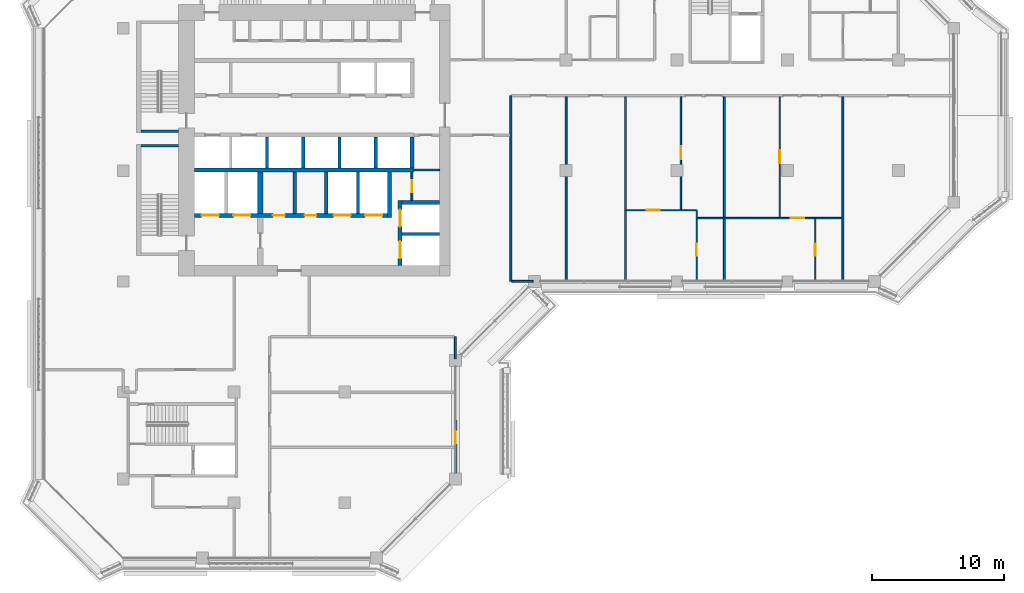
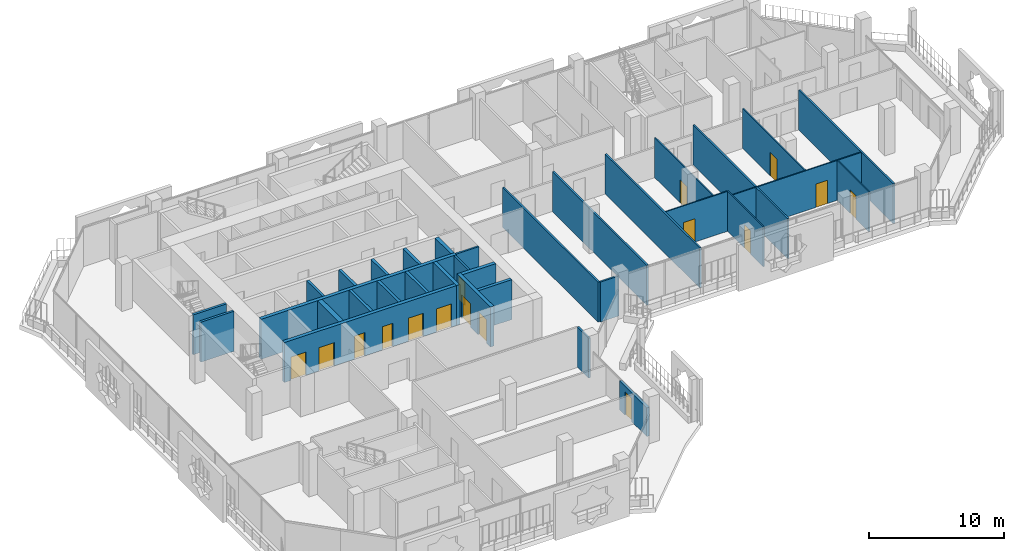
# One storey, part 10 of 21: 33 walls, 16 doors, 16 openings.
"""IFC4 building model written with IfcOpenShell, lengths in metres."""

from ifc_helpers import new_model, si_unit, direction, frame, frame_2d, origin, place, context, subcontext, project, spatial, rectangle, extrude, material, layer, layer_set, type_object, element, fill, save


model = new_model("IFC4")

# Units and contexts
model_context = context("Model", 3, precision=1e-05, world=origin(), true_north=direction((0.0, 1.0)))
body_context = subcontext(model_context, "Body", "Model", "MODEL_VIEW")
ifc_project = project(units=[si_unit("LENGTHUNIT", "METRE"), si_unit("AREAUNIT", "SQUARE_METRE"), si_unit("VOLUMEUNIT", "CUBIC_METRE"), si_unit("PLANEANGLEUNIT", "RADIAN"), si_unit("MASSUNIT", "GRAM", prefix="KILO")], contexts=[model_context])

# Site, building, storey
site_placement = place(None, origin())
site = spatial("IfcSite", under=ifc_project, at=site_placement, CompositionType="ELEMENT")
building_placement = place(site_placement, origin())
building = spatial("IfcBuilding", under=site, at=building_placement, Name="Kawkab Arch Medical Tower", CompositionType="ELEMENT")
storey_placement = place(building_placement, frame((0.0, 0.0, 260.0)))
storey = spatial("IfcBuildingStorey", under=building, at=storey_placement, Name="L60", CompositionType="ELEMENT", Elevation=260.0)

# Wall, opening, door
ifc_material_1 = material(Name="Gypsum board on steel studs", Category="steel")
ifc_layer_1 = layer(ifc_material_1, 0.14990234375)
ifc_layer_set_1 = layer_set([ifc_layer_1], Name="Gypsum board on steel studs")
wall_type_1 = type_object("IfcWallType", Name="Core room partition 150", PredefinedType="PARTITIONING", material=ifc_layer_set_1)
wall_1_placement = place(storey_placement, frame((21.89990234375, -19.050048828125, 0.0), z_axis=(0.0, 0.0, 1.0), x_axis=(0.0, 1.0, 0.0)))
wall_1 = element("IfcWall", 1, at=wall_1_placement, inside=storey, type_object=wall_type_1, Name="L60 core room partition", PredefinedType="PARTITIONING", context=body_context, shape_type="SweptSolid", body=[
    extrude(rectangle(XDim=2.150146484375, YDim=0.14990234375, at=frame_2d((1.0751953125, 0.0))), origin(), (0.0, 0.0, 1.0), 3.60009765625),
])
opening_1_placement = place(wall_1_placement, frame((0.625, 0.0, 0.0)))
opening_1 = element("IfcOpeningElement", 2, at=opening_1_placement, cuts=wall_1, Name="Opening RD", PredefinedType="OPENING", context=body_context, shape_type="SweptSolid", body=[
    extrude(rectangle(XDim=0.89990234375, YDim=2.10009765625, at=frame_2d((0.449951171875, 1.050048828125))), frame((0.0, 0.0849609375, 0.0), z_axis=(0.0, -1.0, 0.0), x_axis=(1.0, 0.0, 0.0)), (0.0, 0.0, 1.0), 0.169921875),
])
ifc_material_2 = material(Name="Hollow metal fire door leaf")
door_type_1 = type_object("IfcDoorType", Name="Core room door 900", OperationType="SINGLE_SWING_LEFT", PredefinedType="DOOR", material=ifc_material_2)
door_1_placement = place(opening_1_placement, origin())
door_1 = element("IfcDoor", 3, at=door_1_placement, inside=storey, type_object=door_type_1, Name="L60 Staff WC door", OperationType="SINGLE_SWING_LEFT", OverallHeight=2.10009765625, OverallWidth=0.89990234375, PredefinedType="DOOR", context=body_context, shape_type="SweptSolid", body=[
    extrude(rectangle(XDim=0.89990234375, YDim=2.10009765625, at=frame_2d((0.449951171875, 1.050048828125))), frame((0.0, 0.02490234375, 0.0), z_axis=(0.0, -1.0, 0.0), x_axis=(1.0, 0.0, 0.0)), (0.0, 0.0, 1.0), 0.050048828125),
])
fill(opening_1, door_1)

# Walls
wall_2_placement = place(storey_placement, frame((22.050048828125, -16.75, 0.0), z_axis=(0.0, 0.0, 1.0), x_axis=(1.0, 0.0, 0.0)))
element("IfcWall", 4, at=wall_2_placement, inside=storey, type_object=wall_type_1, Name="L60 core room partition", PredefinedType="PARTITIONING", context=body_context, shape_type="SweptSolid", body=[
    extrude(rectangle(XDim=1.949951171875, YDim=0.14990234375, at=frame_2d((0.97509765625, 0.0))), origin(), (0.0, 0.0, 1.0), 3.60009765625),
])
ifc_material_3 = material(Name="Concrete C60/75", Category="concrete")
ifc_layer_2 = layer(ifc_material_3, 0.25)
ifc_layer_set_2 = layer_set([ifc_layer_2], Name="Concrete C60/75")
wall_type_2 = type_object("IfcWallType", Name="Core shear wall 250 C60/75", PredefinedType="SHEAR", material=ifc_layer_set_2)
wall_3_placement = place(storey_placement, frame((21.14990234375, -21.60009765625, 0.0), z_axis=(0.0, 0.0, 1.0), x_axis=(1.0, 0.0, 0.0)))
element("IfcWall", 5, at=wall_3_placement, inside=storey, type_object=wall_type_2, Name="L60 core shear wall", PredefinedType="SHEAR", context=body_context, shape_type="SweptSolid", body=[
    extrude(rectangle(XDim=2.85009765625, YDim=0.25, at=frame_2d((1.425048828125, 0.0))), origin(), (0.0, 0.0, 1.0), 3.60009765625),
])
for number, where, z_axis, x_axis, name in (
    (6, (13.0, -20.050048828125, 0.0), (0.0, 0.0, 1.0), (0.0, 1.0, 0.0), "L60 core shear wall"),
    (7, (15.39990234375, -20.050048828125, 0.0), (0.0, 0.0, 1.0), (0.0, 1.0, 0.0), "L60 core shear wall"),
    (8, (17.800048828125, -20.050048828125, 0.0), (0.0, 0.0, 1.0), (0.0, 1.0, 0.0), "L60 core shear wall"),
):
    element("IfcWall", number, at=place(storey_placement, frame(where, z_axis=z_axis, x_axis=x_axis)), inside=storey, type_object=wall_type_2, Name=name, PredefinedType="SHEAR", context=body_context, shape_type="SweptSolid", body=[
        extrude(rectangle(XDim=3.150146484375, YDim=0.25, at=frame_2d((1.5751953125, 0.0))), origin(), (0.0, 0.0, 1.0), 3.60009765625),
    ])
for number, where, z_axis, x_axis, name in (
    (9, (13.64990234375, -16.60009765625, 0.0), (0.0, 0.0, 1.0), (0.0, 1.0, 0.0), "L60 core shear wall"),
    (10, (16.39990234375, -16.60009765625, 0.0), (0.0, 0.0, 1.0), (0.0, 1.0, 0.0), "L60 core shear wall"),
    (11, (19.14990234375, -16.60009765625, 0.0), (0.0, 0.0, 1.0), (0.0, 1.0, 0.0), "L60 core shear wall"),
):
    element("IfcWall", number, at=place(storey_placement, frame(where, z_axis=z_axis, x_axis=x_axis)), inside=storey, type_object=wall_type_2, Name=name, PredefinedType="SHEAR", context=body_context, shape_type="SweptSolid", body=[
        extrude(rectangle(XDim=2.35009765625, YDim=0.25, at=frame_2d((1.175048828125, 0.0))), origin(), (0.0, 0.0, 1.0), 3.60009765625),
    ])
ifc_material_4 = material(Name="Concrete C60/75", Category="concrete")
ifc_layer_3 = layer(ifc_material_4, 0.300048828125)
ifc_layer_set_3 = layer_set([ifc_layer_3], Name="Concrete C60/75")
wall_type_3 = type_object("IfcWallType", Name="Core shear wall 300 C60/75", PredefinedType="SHEAR", material=ifc_layer_set_3)
wall_4_placement = place(storey_placement, frame((5.39990234375, -16.75, 0.0), z_axis=(0.0, 0.0, 1.0), x_axis=(1.0, 0.0, 0.0)))
element("IfcWall", 12, at=wall_4_placement, inside=storey, type_object=wall_type_3, Name="L60 core shear wall", PredefinedType="SHEAR", context=body_context, shape_type="SweptSolid", body=[
    extrude(rectangle(XDim=16.650146484375, YDim=0.300048828125, at=frame_2d((8.3251953125, 0.0))), origin(), (0.0, 0.0, 1.0), 3.60009765625),
])

# Wall, openings, doors
wall_5_placement = place(storey_placement, frame((5.39990234375, -20.199951171875, 0.0), z_axis=(0.0, 0.0, 1.0), x_axis=(1.0, 0.0, 0.0)))
wall_5 = element("IfcWall", 13, at=wall_5_placement, inside=storey, type_object=wall_type_3, Name="L60 core shear wall", PredefinedType="SHEAR", context=body_context, shape_type="SweptSolid", body=[
    extrude(rectangle(XDim=14.650146484375, YDim=0.300048828125, at=frame_2d((7.3251953125, 0.0))), origin(), (0.0, 0.0, 1.0), 3.60009765625),
])
opening_2_placement = place(wall_5_placement, frame((10.550048828125, 0.0, 0.0)))
opening_2 = element("IfcOpeningElement", 14, at=opening_2_placement, cuts=wall_5, Name="Opening LD2", PredefinedType="OPENING", context=body_context, shape_type="SweptSolid", body=[
    extrude(rectangle(XDim=1.300048828125, YDim=2.10009765625, at=frame_2d((0.64990234375, 1.050048828125))), frame((0.0, 0.159912109375, 0.0), z_axis=(0.0, -1.0, 0.0), x_axis=(1.0, 0.0, 0.0)), (0.0, 0.0, 1.0), 0.320068359375),
])
opening_3_placement = place(wall_5_placement, frame((12.949951171875, 0.0, 0.0)))
opening_3 = element("IfcOpeningElement", 15, at=opening_3_placement, cuts=wall_5, Name="Opening LD2", PredefinedType="OPENING", context=body_context, shape_type="SweptSolid", body=[
    extrude(rectangle(XDim=1.300048828125, YDim=2.10009765625, at=frame_2d((0.64990234375, 1.050048828125))), frame((0.0, 0.159912109375, 0.0), z_axis=(0.0, -1.0, 0.0), x_axis=(1.0, 0.0, 0.0)), (0.0, 0.0, 1.0), 0.320068359375),
])
opening_4_placement = place(wall_5_placement, frame((0.550048828125, 0.0, 0.0)))
opening_4 = element("IfcOpeningElement", 16, at=opening_4_placement, cuts=wall_5, Name="Opening LD2", PredefinedType="OPENING", context=body_context, shape_type="SweptSolid", body=[
    extrude(rectangle(XDim=1.300048828125, YDim=2.10009765625, at=frame_2d((0.64990234375, 1.050048828125))), frame((0.0, 0.159912109375, 0.0), z_axis=(0.0, -1.0, 0.0), x_axis=(1.0, 0.0, 0.0)), (0.0, 0.0, 1.0), 0.320068359375),
])
opening_5_placement = place(wall_5_placement, frame((2.949951171875, 0.0, 0.0)))
opening_5 = element("IfcOpeningElement", 17, at=opening_5_placement, cuts=wall_5, Name="Opening LD2", PredefinedType="OPENING", context=body_context, shape_type="SweptSolid", body=[
    extrude(rectangle(XDim=1.300048828125, YDim=2.10009765625, at=frame_2d((0.64990234375, 1.050048828125))), frame((0.0, 0.159912109375, 0.0), z_axis=(0.0, -1.0, 0.0), x_axis=(1.0, 0.0, 0.0)), (0.0, 0.0, 1.0), 0.320068359375),
])
opening_6_placement = place(wall_5_placement, frame((5.949951171875, 0.0, 0.0)))
opening_6 = element("IfcOpeningElement", 18, at=opening_6_placement, cuts=wall_5, Name="Opening RD", PredefinedType="OPENING", context=body_context, shape_type="SweptSolid", body=[
    extrude(rectangle(XDim=0.89990234375, YDim=2.10009765625, at=frame_2d((0.449951171875, 1.050048828125))), frame((0.0, 0.159912109375, 0.0), z_axis=(0.0, -1.0, 0.0), x_axis=(1.0, 0.0, 0.0)), (0.0, 0.0, 1.0), 0.320068359375),
])
opening_7_placement = place(wall_5_placement, frame((8.35009765625, 0.0, 0.0)))
opening_7 = element("IfcOpeningElement", 19, at=opening_7_placement, cuts=wall_5, Name="Opening RD", PredefinedType="OPENING", context=body_context, shape_type="SweptSolid", body=[
    extrude(rectangle(XDim=0.89990234375, YDim=2.10009765625, at=frame_2d((0.449951171875, 1.050048828125))), frame((0.0, 0.159912109375, 0.0), z_axis=(0.0, -1.0, 0.0), x_axis=(1.0, 0.0, 0.0)), (0.0, 0.0, 1.0), 0.320068359375),
])
door_2_placement = place(opening_6_placement, origin())
door_2 = element("IfcDoor", 20, at=door_2_placement, inside=storey, type_object=door_type_1, Name="L60 Clean utility room door", OperationType="SINGLE_SWING_LEFT", OverallHeight=2.10009765625, OverallWidth=0.89990234375, PredefinedType="DOOR", context=body_context, shape_type="SweptSolid", body=[
    extrude(rectangle(XDim=0.89990234375, YDim=2.10009765625, at=frame_2d((0.449951171875, 1.050048828125))), frame((0.0, 0.02490234375, 0.0), z_axis=(0.0, -1.0, 0.0), x_axis=(1.0, 0.0, 0.0)), (0.0, 0.0, 1.0), 0.050048828125),
])
fill(opening_6, door_2)
door_3_placement = place(opening_7_placement, origin())
door_3 = element("IfcDoor", 21, at=door_3_placement, inside=storey, type_object=door_type_1, Name="L60 Dirty utility room door", OperationType="SINGLE_SWING_LEFT", OverallHeight=2.10009765625, OverallWidth=0.89990234375, PredefinedType="DOOR", context=body_context, shape_type="SweptSolid", body=[
    extrude(rectangle(XDim=0.89990234375, YDim=2.10009765625, at=frame_2d((0.449951171875, 1.050048828125))), frame((0.0, 0.02490234375, 0.0), z_axis=(0.0, -1.0, 0.0), x_axis=(1.0, 0.0, 0.0)), (0.0, 0.0, 1.0), 0.050048828125),
])
fill(opening_7, door_3)
ifc_material_5 = material(Name="Stainless steel lift door leaf", Category="steel")
door_type_2 = type_object("IfcDoorType", Name="Lift landing door 1300", OperationType="DOUBLE_DOOR_SLIDING", PredefinedType="DOOR", material=ifc_material_5)
door_4_placement = place(opening_2_placement, origin())
door_4 = element("IfcDoor", 22, at=door_4_placement, inside=storey, type_object=door_type_2, Name="L60 Lift landing door BD3", OperationType="DOUBLE_DOOR_SLIDING", OverallHeight=2.10009765625, OverallWidth=1.300048828125, PredefinedType="DOOR", context=body_context, shape_type="SweptSolid", body=[
    extrude(rectangle(XDim=1.300048828125, YDim=2.10009765625, at=frame_2d((0.64990234375, 1.050048828125))), frame((0.0, 0.02490234375, 0.0), z_axis=(0.0, -1.0, 0.0), x_axis=(1.0, 0.0, 0.0)), (0.0, 0.0, 1.0), 0.050048828125),
])
fill(opening_2, door_4)
door_5_placement = place(opening_3_placement, origin())
door_5 = element("IfcDoor", 23, at=door_5_placement, inside=storey, type_object=door_type_2, Name="L60 Lift landing door BD4", OperationType="DOUBLE_DOOR_SLIDING", OverallHeight=2.10009765625, OverallWidth=1.300048828125, PredefinedType="DOOR", context=body_context, shape_type="SweptSolid", body=[
    extrude(rectangle(XDim=1.300048828125, YDim=2.10009765625, at=frame_2d((0.64990234375, 1.050048828125))), frame((0.0, 0.02490234375, 0.0), z_axis=(0.0, -1.0, 0.0), x_axis=(1.0, 0.0, 0.0)), (0.0, 0.0, 1.0), 0.050048828125),
])
fill(opening_3, door_5)
door_6_placement = place(opening_4_placement, origin())
door_6 = element("IfcDoor", 24, at=door_6_placement, inside=storey, type_object=door_type_2, Name="L60 Lift landing door FL1", OperationType="DOUBLE_DOOR_SLIDING", OverallHeight=2.10009765625, OverallWidth=1.300048828125, PredefinedType="DOOR", context=body_context, shape_type="SweptSolid", body=[
    extrude(rectangle(XDim=1.300048828125, YDim=2.10009765625, at=frame_2d((0.64990234375, 1.050048828125))), frame((0.0, 0.02490234375, 0.0), z_axis=(0.0, -1.0, 0.0), x_axis=(1.0, 0.0, 0.0)), (0.0, 0.0, 1.0), 0.050048828125),
])
fill(opening_4, door_6)
door_7_placement = place(opening_5_placement, origin())
door_7 = element("IfcDoor", 25, at=door_7_placement, inside=storey, type_object=door_type_2, Name="L60 Lift landing door FL2", OperationType="DOUBLE_DOOR_SLIDING", OverallHeight=2.10009765625, OverallWidth=1.300048828125, PredefinedType="DOOR", context=body_context, shape_type="SweptSolid", body=[
    extrude(rectangle(XDim=1.300048828125, YDim=2.10009765625, at=frame_2d((0.64990234375, 1.050048828125))), frame((0.0, 0.02490234375, 0.0), z_axis=(0.0, -1.0, 0.0), x_axis=(1.0, 0.0, 0.0)), (0.0, 0.0, 1.0), 0.050048828125),
])
fill(opening_5, door_7)

# Walls
wall_6_placement = place(storey_placement, frame((20.199951171875, -20.35009765625, 0.0), z_axis=(0.0, 0.0, 1.0), x_axis=(0.0, 1.0, 0.0)))
element("IfcWall", 26, at=wall_6_placement, inside=storey, type_object=wall_type_3, Name="L60 core shear wall", PredefinedType="SHEAR", context=body_context, shape_type="SweptSolid", body=[
    extrude(rectangle(XDim=3.4501953125, YDim=0.300048828125, at=frame_2d((1.72509765625, 0.0))), origin(), (0.0, 0.0, 1.0), 3.60009765625),
])
wall_7_placement = place(storey_placement, frame((21.89990234375, -16.60009765625, 0.0), z_axis=(0.0, 0.0, 1.0), x_axis=(0.0, 1.0, 0.0)))
element("IfcWall", 27, at=wall_7_placement, inside=storey, type_object=wall_type_3, Name="L60 core shear wall", PredefinedType="SHEAR", context=body_context, shape_type="SweptSolid", body=[
    extrude(rectangle(XDim=2.35009765625, YDim=0.300048828125, at=frame_2d((1.175048828125, 0.0))), origin(), (0.0, 0.0, 1.0), 3.60009765625),
])
wall_8_placement = place(storey_placement, frame((21.14990234375, -19.199951171875, 0.0), z_axis=(0.0, 0.0, 1.0), x_axis=(1.0, 0.0, 0.0)))
element("IfcWall", 28, at=wall_8_placement, inside=storey, type_object=wall_type_3, Name="L60 core shear wall", PredefinedType="SHEAR", context=body_context, shape_type="SweptSolid", body=[
    extrude(rectangle(XDim=2.85009765625, YDim=0.300048828125, at=frame_2d((1.425048828125, 0.0))), origin(), (0.0, 0.0, 1.0), 3.60009765625),
])

# Wall, openings, doors
wall_9_placement = place(storey_placement, frame((21.0, -24.0, 0.0), z_axis=(0.0, 0.0, 1.0), x_axis=(0.0, 1.0, 0.0)))
wall_9 = element("IfcWall", 29, at=wall_9_placement, inside=storey, type_object=wall_type_3, Name="L60 core shear wall", PredefinedType="SHEAR", context=body_context, shape_type="SweptSolid", body=[
    extrude(rectangle(XDim=4.949951171875, YDim=0.300048828125, at=frame_2d((2.47509765625, 0.0))), origin(), (0.0, 0.0, 1.0), 3.60009765625),
])
opening_8_placement = place(wall_9_placement, frame((2.949951171875, 0.0, 0.0)))
opening_8 = element("IfcOpeningElement", 30, at=opening_8_placement, cuts=wall_9, Name="Opening LD2", PredefinedType="OPENING", context=body_context, shape_type="SweptSolid", body=[
    extrude(rectangle(XDim=1.300048828125, YDim=2.10009765625, at=frame_2d((0.64990234375, 1.050048828125))), frame((0.0, 0.159912109375, 0.0), z_axis=(0.0, -1.0, 0.0), x_axis=(1.0, 0.0, 0.0)), (0.0, 0.0, 1.0), 0.320068359375),
])
opening_9_placement = place(wall_9_placement, frame((0.550048828125, 0.0, 0.0)))
opening_9 = element("IfcOpeningElement", 31, at=opening_9_placement, cuts=wall_9, Name="Opening LD2", PredefinedType="OPENING", context=body_context, shape_type="SweptSolid", body=[
    extrude(rectangle(XDim=1.300048828125, YDim=2.10009765625, at=frame_2d((0.64990234375, 1.050048828125))), frame((0.0, 0.159912109375, 0.0), z_axis=(0.0, -1.0, 0.0), x_axis=(1.0, 0.0, 0.0)), (0.0, 0.0, 1.0), 0.320068359375),
])
door_8_placement = place(opening_8_placement, origin())
door_8 = element("IfcDoor", 32, at=door_8_placement, inside=storey, type_object=door_type_2, Name="L60 Lift landing door BD1", OperationType="DOUBLE_DOOR_SLIDING", OverallHeight=2.10009765625, OverallWidth=1.300048828125, PredefinedType="DOOR", context=body_context, shape_type="SweptSolid", body=[
    extrude(rectangle(XDim=1.300048828125, YDim=2.10009765625, at=frame_2d((0.64990234375, 1.050048828125))), frame((0.0, 0.02490234375, 0.0), z_axis=(0.0, -1.0, 0.0), x_axis=(1.0, 0.0, 0.0)), (0.0, 0.0, 1.0), 0.050048828125),
])
fill(opening_8, door_8)
door_9_placement = place(opening_9_placement, origin())
door_9 = element("IfcDoor", 33, at=door_9_placement, inside=storey, type_object=door_type_2, Name="L60 Lift landing door BD2", OperationType="DOUBLE_DOOR_SLIDING", OverallHeight=2.10009765625, OverallWidth=1.300048828125, PredefinedType="DOOR", context=body_context, shape_type="SweptSolid", body=[
    extrude(rectangle(XDim=1.300048828125, YDim=2.10009765625, at=frame_2d((0.64990234375, 1.050048828125))), frame((0.0, 0.02490234375, 0.0), z_axis=(0.0, -1.0, 0.0), x_axis=(1.0, 0.0, 0.0)), (0.0, 0.0, 1.0), 0.050048828125),
])
fill(opening_9, door_9)

# Wall
ifc_material_6 = material(Name="Concrete C60/75", Category="concrete")
ifc_layer_4 = layer(ifc_material_6, 0.39990234375)
ifc_layer_set_4 = layer_set([ifc_layer_4], Name="Concrete C60/75")
wall_type_4 = type_object("IfcWallType", Name="Core shear wall 400 C60/75", PredefinedType="SHEAR", material=ifc_layer_set_4)
wall_10_placement = place(storey_placement, frame((10.39990234375, -20.050048828125, 0.0), z_axis=(0.0, 0.0, 1.0), x_axis=(0.0, 1.0, 0.0)))
element("IfcWall", 34, at=wall_10_placement, inside=storey, type_object=wall_type_4, Name="L60 core shear wall", PredefinedType="SHEAR", context=body_context, shape_type="SweptSolid", body=[
    extrude(rectangle(XDim=3.150146484375, YDim=0.39990234375, at=frame_2d((1.5751953125, 0.0))), origin(), (0.0, 0.0, 1.0), 3.60009765625),
])

# Wall, opening, door
ifc_material_7 = material(Name="Bronze clad insulated wall panel")
ifc_layer_5 = layer(ifc_material_7, 0.25)
ifc_layer_set_5 = layer_set([ifc_layer_5], Name="Bronze clad insulated wall panel")
wall_type_5 = type_object("IfcWallType", Name="External wall bay 250", PredefinedType="SOLIDWALL", material=ifc_layer_set_5)
wall_11_placement = place(storey_placement, frame((25.199951171875, -39.75, 0.0), z_axis=(0.0, 0.0, 1.0), x_axis=(0.0, 1.0, 0.0)))
wall_11 = element("IfcWall", 35, at=wall_11_placement, inside=storey, type_object=wall_type_5, Name="External wall bay L60.R05.1.1", PredefinedType="SOLIDWALL", context=body_context, shape_type="SweptSolid", body=[
    extrude(rectangle(XDim=4.050048828125, YDim=0.25, at=frame_2d((2.02490234375, 0.0))), origin(), (0.0, 0.0, 1.0), 2.580078125),
])
opening_10_placement = place(wall_11_placement, frame((2.22509765625, 0.0, 0.0)))
opening_10 = element("IfcOpeningElement", 36, at=opening_10_placement, cuts=wall_11, Name="Opening W55-701", PredefinedType="OPENING", context=body_context, shape_type="SweptSolid", body=[
    extrude(rectangle(XDim=1.0, YDim=2.10009765625, at=frame_2d((0.5, 1.050048828125))), frame((0.0, 0.135009765625, 0.0), z_axis=(0.0, -1.0, 0.0), x_axis=(1.0, 0.0, 0.0)), (0.0, 0.0, 1.0), 0.27001953125),
])
ifc_material_8 = material(Name="Bronze anodised aluminium door with tinted glass", Category="aluminium")
door_type_3 = type_object("IfcDoorType", Name="Single external door 1000 x 2100", OperationType="SINGLE_SWING_LEFT", PredefinedType="DOOR", material=ifc_material_8)
door_10_placement = place(opening_10_placement, origin())
door_10 = element("IfcDoor", 37, at=door_10_placement, inside=storey, type_object=door_type_3, Name="External door L60.R05.1.1", OperationType="SINGLE_SWING_LEFT", OverallHeight=2.10009765625, OverallWidth=1.0, PredefinedType="DOOR", context=body_context, shape_type="SweptSolid", body=[
    extrude(rectangle(XDim=1.0, YDim=2.10009765625, at=frame_2d((0.5, 1.050048828125))), frame((0.0, 0.02490234375, 0.0), z_axis=(0.0, -1.0, 0.0), x_axis=(1.0, 0.0, 0.0)), (0.0, 0.0, 1.0), 0.050048828125),
])
fill(opening_10, door_10)

# Wall
ifc_material_9 = material(Name="Dense concrete blockwork", Category="masonry")
ifc_layer_6 = layer(ifc_material_9, 0.199951171875)
ifc_layer_set_6 = layer_set([ifc_layer_6], Name="Dense concrete blockwork")
wall_type_6 = type_object("IfcWallType", Name="Lift shaft partition 200", PredefinedType="PARTITIONING", material=ifc_layer_set_6)
wall_12_placement = place(storey_placement, frame((10.89990234375, -16.60009765625, 0.0), z_axis=(0.0, 0.0, 1.0), x_axis=(0.0, 1.0, 0.0)))
element("IfcWall", 38, at=wall_12_placement, inside=storey, type_object=wall_type_6, Name="L60 lift shaft partition", PredefinedType="PARTITIONING", context=body_context, shape_type="SweptSolid", body=[
    extrude(rectangle(XDim=2.35009765625, YDim=0.199951171875, at=frame_2d((1.175048828125, 0.0))), origin(), (0.0, 0.0, 1.0), 3.60009765625),
])

# Wall, opening, door
ifc_material_10 = material(Name="Gypsum board partition on steel studs", Category="steel")
ifc_layer_7 = layer(ifc_material_10, 0.10009765625)
ifc_layer_set_7 = layer_set([ifc_layer_7], Name="Gypsum board partition on steel studs")
wall_type_7 = type_object("IfcWallType", Name="Partition 100", PredefinedType="PARTITIONING", material=ifc_layer_set_7)
wall_13_placement = place(storey_placement, frame((43.550048828125, -20.39990234375, 0.0), z_axis=(0.0, 0.0, 1.0), x_axis=(1.0, 0.0, 0.0)))
wall_13 = element("IfcWall", 39, at=wall_13_placement, inside=storey, type_object=wall_type_7, Name="Partition 100 w001", PredefinedType="PARTITIONING", context=body_context, shape_type="SweptSolid", body=[
    extrude(rectangle(XDim=10.974853515625, YDim=0.10009765625, at=frame_2d((5.4873046875, 0.0))), origin(), (0.0, 0.0, 1.0), 3.60009765625),
])
opening_11_placement = place(wall_13_placement, frame((7.10009765625, 0.0, 0.0)))
opening_11 = element("IfcOpeningElement", 40, at=opening_11_placement, cuts=wall_13, Name="Opening W55-014", PredefinedType="OPENING", context=body_context, shape_type="SweptSolid", body=[
    extrude(rectangle(XDim=1.0, YDim=2.10009765625, at=frame_2d((0.5, 1.050048828125))), frame((0.0, 0.06005859375, 0.0), z_axis=(0.0, -1.0, 0.0), x_axis=(1.0, 0.0, 0.0)), (0.0, 0.0, 1.0), 0.1201171875),
])
ifc_material_11 = material(Name="Timber door leaf", Category="wood")
door_type_4 = type_object("IfcDoorType", Name="Single door 1000x2100", OperationType="NOTDEFINED", PredefinedType="DOOR", material=ifc_material_11)
door_11_placement = place(opening_11_placement, origin())
door_11 = element("IfcDoor", 41, at=door_11_placement, inside=storey, type_object=door_type_4, Name="Door W55-014", OperationType="SINGLE_SWING_LEFT", OverallHeight=2.10009765625, OverallWidth=1.0, PredefinedType="DOOR", context=body_context, shape_type="SweptSolid", body=[
    extrude(rectangle(XDim=1.0, YDim=2.10009765625, at=frame_2d((0.5, 1.050048828125))), frame((0.0, 0.02490234375, 0.0), z_axis=(0.0, -1.0, 0.0), x_axis=(1.0, 0.0, 0.0)), (0.0, 0.0, 1.0), 0.050048828125),
])
fill(opening_11, door_11)

wall_14_placement = place(storey_placement, frame((38.175048828125, -19.800048828125, 0.0), z_axis=(0.0, 0.0, 1.0), x_axis=(1.0, 0.0, 0.0)))
wall_14 = element("IfcWall", 42, at=wall_14_placement, inside=storey, type_object=wall_type_7, Name="Partition 100 w002", PredefinedType="PARTITIONING", context=body_context, shape_type="SweptSolid", body=[
    extrude(rectangle(XDim=5.27490234375, YDim=0.10009765625, at=frame_2d((2.637451171875, 0.0))), origin(), (0.0, 0.0, 1.0), 3.60009765625),
])
opening_12_placement = place(wall_14_placement, frame((1.52490234375, 0.0, 0.0)))
opening_12 = element("IfcOpeningElement", 43, at=opening_12_placement, cuts=wall_14, Name="Opening W55-012", PredefinedType="OPENING", context=body_context, shape_type="SweptSolid", body=[
    extrude(rectangle(XDim=1.0, YDim=2.10009765625, at=frame_2d((0.5, 1.050048828125))), frame((0.0, 0.06005859375, 0.0), z_axis=(0.0, -1.0, 0.0), x_axis=(1.0, 0.0, 0.0)), (0.0, 0.0, 1.0), 0.1201171875),
])
door_12_placement = place(opening_12_placement, origin())
door_12 = element("IfcDoor", 44, at=door_12_placement, inside=storey, type_object=door_type_4, Name="Door W55-012", OperationType="SINGLE_SWING_RIGHT", OverallHeight=2.10009765625, OverallWidth=1.0, PredefinedType="DOOR", context=body_context, shape_type="SweptSolid", body=[
    extrude(rectangle(XDim=1.0, YDim=2.10009765625, at=frame_2d((0.5, 1.050048828125))), frame((0.0, 0.02490234375, 0.0), z_axis=(0.0, -1.0, 0.0), x_axis=(1.0, 0.0, 0.0)), (0.0, 0.0, 1.0), 0.050048828125),
])
fill(opening_12, door_12)

wall_15_placement = place(storey_placement, frame((42.300048828125, -19.75, 0.0), z_axis=(0.0, 0.0, 1.0), x_axis=(0.0, 1.0, 0.0)))
wall_15 = element("IfcWall", 45, at=wall_15_placement, inside=storey, type_object=wall_type_7, Name="Partition 100 w006", PredefinedType="PARTITIONING", context=body_context, shape_type="SweptSolid", body=[
    extrude(rectangle(XDim=8.574951171875, YDim=0.10009765625, at=frame_2d((4.28759765625, 0.0))), origin(), (0.0, 0.0, 1.0), 3.60009765625),
])
opening_13_placement = place(wall_15_placement, frame((3.800048828125, 0.0, 0.0)))
opening_13 = element("IfcOpeningElement", 46, at=opening_13_placement, cuts=wall_15, Name="Opening W55-013", PredefinedType="OPENING", context=body_context, shape_type="SweptSolid", body=[
    extrude(rectangle(XDim=1.0, YDim=2.10009765625, at=frame_2d((0.5, 1.050048828125))), frame((0.0, 0.06005859375, 0.0), z_axis=(0.0, -1.0, 0.0), x_axis=(1.0, 0.0, 0.0)), (0.0, 0.0, 1.0), 0.1201171875),
])
door_13_placement = place(opening_13_placement, origin())
door_13 = element("IfcDoor", 47, at=door_13_placement, inside=storey, type_object=door_type_4, Name="Door W55-013", OperationType="SINGLE_SWING_RIGHT", OverallHeight=2.10009765625, OverallWidth=1.0, PredefinedType="DOOR", context=body_context, shape_type="SweptSolid", body=[
    extrude(rectangle(XDim=1.0, YDim=2.10009765625, at=frame_2d((0.5, 1.050048828125))), frame((0.0, 0.02490234375, 0.0), z_axis=(0.0, -1.0, 0.0), x_axis=(1.0, 0.0, 0.0)), (0.0, 0.0, 1.0), 0.050048828125),
])
fill(opening_13, door_13)

wall_16_placement = place(storey_placement, frame((43.5, -25.1201171875, 0.0), z_axis=(0.0, 0.0, 1.0), x_axis=(0.0, 1.0, 0.0)))
wall_16 = element("IfcWall", 48, at=wall_16_placement, inside=storey, type_object=wall_type_7, Name="Partition 100 w007", PredefinedType="PARTITIONING", context=body_context, shape_type="SweptSolid", body=[
    extrude(rectangle(XDim=5.320068359375, YDim=0.10009765625, at=frame_2d((2.66015625, 0.0))), origin(), (0.0, 0.0, 1.0), 3.60009765625),
])
opening_14_placement = place(wall_16_placement, frame((1.8701171875, 0.0, 0.0)))
opening_14 = element("IfcOpeningElement", 49, at=opening_14_placement, cuts=wall_16, Name="Opening W55-007", PredefinedType="OPENING", context=body_context, shape_type="SweptSolid", body=[
    extrude(rectangle(XDim=0.89990234375, YDim=2.10009765625, at=frame_2d((0.449951171875, 1.050048828125))), frame((0.0, 0.06005859375, 0.0), z_axis=(0.0, -1.0, 0.0), x_axis=(1.0, 0.0, 0.0)), (0.0, 0.0, 1.0), 0.1201171875),
])
ifc_material_12 = material(Name="Timber door leaf", Category="wood")
door_type_5 = type_object("IfcDoorType", Name="Single door 900x2100", OperationType="NOTDEFINED", PredefinedType="DOOR", material=ifc_material_12)
door_14_placement = place(opening_14_placement, origin())
door_14 = element("IfcDoor", 50, at=door_14_placement, inside=storey, type_object=door_type_5, Name="Door W55-007", OperationType="SINGLE_SWING_LEFT", OverallHeight=2.10009765625, OverallWidth=0.89990234375, PredefinedType="DOOR", context=body_context, shape_type="SweptSolid", body=[
    extrude(rectangle(XDim=0.89990234375, YDim=2.10009765625, at=frame_2d((0.449951171875, 1.050048828125))), frame((0.0, 0.02490234375, 0.0), z_axis=(0.0, -1.0, 0.0), x_axis=(1.0, 0.0, 0.0)), (0.0, 0.0, 1.0), 0.050048828125),
])
fill(opening_14, door_14)

wall_17_placement = place(storey_placement, frame((49.800048828125, -20.35009765625, 0.0), z_axis=(0.0, 0.0, 1.0), x_axis=(0.0, 1.0, 0.0)))
wall_17 = element("IfcWall", 51, at=wall_17_placement, inside=storey, type_object=wall_type_7, Name="Partition 100 w008", PredefinedType="PARTITIONING", context=body_context, shape_type="SweptSolid", body=[
    extrude(rectangle(XDim=9.175048828125, YDim=0.10009765625, at=frame_2d((4.58740234375, 0.0))), origin(), (0.0, 0.0, 1.0), 3.60009765625),
])
opening_15_placement = place(wall_17_placement, frame((4.10009765625, 0.0, 0.0)))
opening_15 = element("IfcOpeningElement", 52, at=opening_15_placement, cuts=wall_17, Name="Opening W55-015", PredefinedType="OPENING", context=body_context, shape_type="SweptSolid", body=[
    extrude(rectangle(XDim=1.0, YDim=2.10009765625, at=frame_2d((0.5, 1.050048828125))), frame((0.0, 0.06005859375, 0.0), z_axis=(0.0, -1.0, 0.0), x_axis=(1.0, 0.0, 0.0)), (0.0, 0.0, 1.0), 0.1201171875),
])
door_15_placement = place(opening_15_placement, origin())
door_15 = element("IfcDoor", 53, at=door_15_placement, inside=storey, type_object=door_type_4, Name="Door W55-015", OperationType="SINGLE_SWING_RIGHT", OverallHeight=2.10009765625, OverallWidth=1.0, PredefinedType="DOOR", context=body_context, shape_type="SweptSolid", body=[
    extrude(rectangle(XDim=1.0, YDim=2.10009765625, at=frame_2d((0.5, 1.050048828125))), frame((0.0, 0.02490234375, 0.0), z_axis=(0.0, -1.0, 0.0), x_axis=(1.0, 0.0, 0.0)), (0.0, 0.0, 1.0), 0.050048828125),
])
fill(opening_15, door_15)

wall_18_placement = place(storey_placement, frame((52.5, -25.1201171875, 0.0), z_axis=(0.0, 0.0, 1.0), x_axis=(0.0, 1.0, 0.0)))
wall_18 = element("IfcWall", 54, at=wall_18_placement, inside=storey, type_object=wall_type_7, Name="Partition 100 w009", PredefinedType="PARTITIONING", context=body_context, shape_type="SweptSolid", body=[
    extrude(rectangle(XDim=4.670166015625, YDim=0.10009765625, at=frame_2d((2.3349609375, 0.0))), origin(), (0.0, 0.0, 1.0), 3.60009765625),
])
opening_16_placement = place(wall_18_placement, frame((1.8701171875, 0.0, 0.0)))
opening_16 = element("IfcOpeningElement", 55, at=opening_16_placement, cuts=wall_18, Name="Opening W55-008", PredefinedType="OPENING", context=body_context, shape_type="SweptSolid", body=[
    extrude(rectangle(XDim=0.89990234375, YDim=2.10009765625, at=frame_2d((0.449951171875, 1.050048828125))), frame((0.0, 0.06005859375, 0.0), z_axis=(0.0, -1.0, 0.0), x_axis=(1.0, 0.0, 0.0)), (0.0, 0.0, 1.0), 0.1201171875),
])
door_16_placement = place(opening_16_placement, origin())
door_16 = element("IfcDoor", 56, at=door_16_placement, inside=storey, type_object=door_type_5, Name="Door W55-008", OperationType="SINGLE_SWING_RIGHT", OverallHeight=2.10009765625, OverallWidth=0.89990234375, PredefinedType="DOOR", context=body_context, shape_type="SweptSolid", body=[
    extrude(rectangle(XDim=0.89990234375, YDim=2.10009765625, at=frame_2d((0.449951171875, 1.050048828125))), frame((0.0, 0.02490234375, 0.0), z_axis=(0.0, -1.0, 0.0), x_axis=(1.0, 0.0, 0.0)), (0.0, 0.0, 1.0), 0.050048828125),
])
fill(opening_16, door_16)

# Walls
ifc_material_13 = material(Name="Gypsum board partition on steel studs, mineral wool", Category="steel")
ifc_layer_8 = layer(ifc_material_13, 0.14990234375)
ifc_layer_set_8 = layer_set([ifc_layer_8], Name="Gypsum board partition on steel studs, mineral wool")
wall_type_8 = type_object("IfcWallType", Name="Partition 150", PredefinedType="PARTITIONING", material=ifc_layer_set_8)
wall_19_placement = place(storey_placement, frame((29.47509765625, -25.199951171875, 0.0), z_axis=(0.0, 0.0, 1.0), x_axis=(1.0, 0.0, 0.0)))
element("IfcWall", 57, at=wall_19_placement, inside=storey, type_object=wall_type_8, Name="Partition 150 w019", PredefinedType="PARTITIONING", context=body_context, shape_type="SweptSolid", body=[
    extrude(rectangle(XDim=1.61181640625, YDim=0.14990234375, at=frame_2d((0.805908203125, 0.0))), origin(), (0.0, 0.0, 1.0), 3.60009765625),
])
wall_20_placement = place(storey_placement, frame((25.199951171875, -31.0869140625, 0.0), z_axis=(0.0, 0.0, 1.0), x_axis=(0.0, 1.0, 0.0)))
element("IfcWall", 58, at=wall_20_placement, inside=storey, type_object=wall_type_8, Name="Partition 150 w036", PredefinedType="PARTITIONING", context=body_context, shape_type="SweptSolid", body=[
    extrude(rectangle(XDim=1.68701171875, YDim=0.14990234375, at=frame_2d((0.843505859375, 0.0))), origin(), (0.0, 0.0, 1.0), 3.60009765625),
])
wall_21_placement = place(storey_placement, frame((29.39990234375, -25.199951171875, 0.0), z_axis=(0.0, 0.0, 1.0), x_axis=(0.0, 1.0, 0.0)))
element("IfcWall", 59, at=wall_21_placement, inside=storey, type_object=wall_type_8, Name="Partition 150 w038", PredefinedType="PARTITIONING", context=body_context, shape_type="SweptSolid", body=[
    extrude(rectangle(XDim=14.099853515625, YDim=0.14990234375, at=frame_2d((7.0498046875, 0.0))), origin(), (0.0, 0.0, 1.0), 3.60009765625),
])
for number, where, z_axis, x_axis, name in (
    (60, (33.60009765625, -25.1201171875, 0.0), (0.0, 0.0, 1.0), (0.0, 1.0, 0.0), "Partition 150 w039"),
    (61, (38.10009765625, -25.1201171875, 0.0), (0.0, 0.0, 1.0), (0.0, 1.0, 0.0), "Partition 150 w042"),
    (62, (45.60009765625, -25.1201171875, 0.0), (0.0, 0.0, 1.0), (0.0, 1.0, 0.0), "Partition 150 w044"),
    (63, (54.60009765625, -25.1201171875, 0.0), (0.0, 0.0, 1.0), (0.0, 1.0, 0.0), "Partition 150 w048"),
):
    element("IfcWall", number, at=place(storey_placement, frame(where, z_axis=z_axis, x_axis=x_axis)), inside=storey, type_object=wall_type_8, Name=name, PredefinedType="PARTITIONING", context=body_context, shape_type="SweptSolid", body=[
        extrude(rectangle(XDim=13.945068359375, YDim=0.14990234375, at=frame_2d((6.97265625, 0.0))), origin(), (0.0, 0.0, 1.0), 3.60009765625),
    ])
ifc_material_14 = material(Name="Concrete C50/60", Category="concrete")
ifc_layer_9 = layer(ifc_material_14, 0.199951171875)
ifc_layer_set_9 = layer_set([ifc_layer_9], Name="Concrete C50/60")
wall_type_9 = type_object("IfcWallType", Name="Stair enclosure wall 200 C50/60", PredefinedType="SHEAR", material=ifc_layer_set_9)
for number, where, z_axis, x_axis, name in (
    (64, (1.35009765625, -13.800048828125, 0.0), (0.0, 0.0, 1.0), (1.0, 0.0, 0.0), "L60 stair enclosure wall"),
    (65, (1.35009765625, -14.89990234375, 0.0), (0.0, 0.0, 1.0), (1.0, 0.0, 0.0), "L60 stair enclosure wall"),
):
    element("IfcWall", number, at=place(storey_placement, frame(where, z_axis=z_axis, x_axis=x_axis)), inside=storey, type_object=wall_type_9, Name=name, PredefinedType="SHEAR", context=body_context, shape_type="SweptSolid", body=[
        extrude(rectangle(XDim=2.849853515625, YDim=0.199951171875, at=frame_2d((1.4248046875, 0.0))), origin(), (0.0, 0.0, 1.0), 3.60009765625),
    ])

save(model, "model.ifc")
